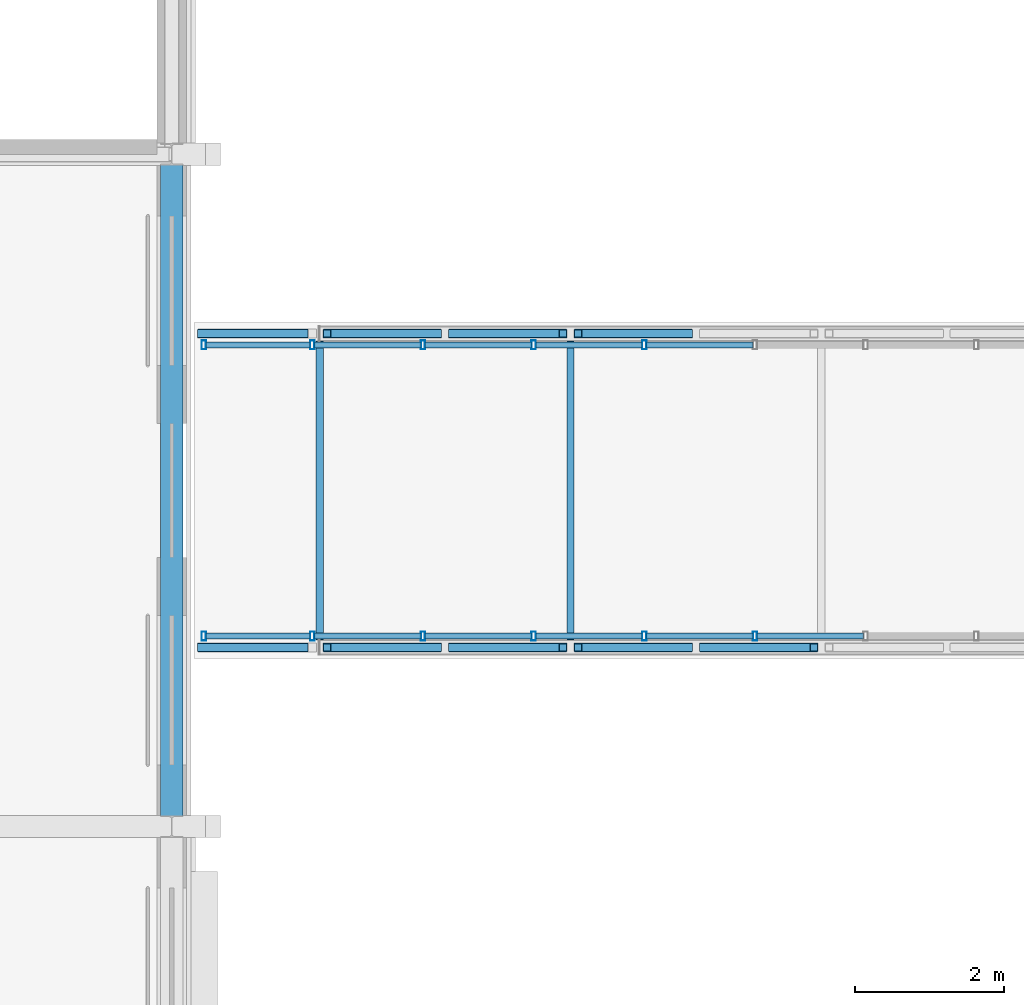
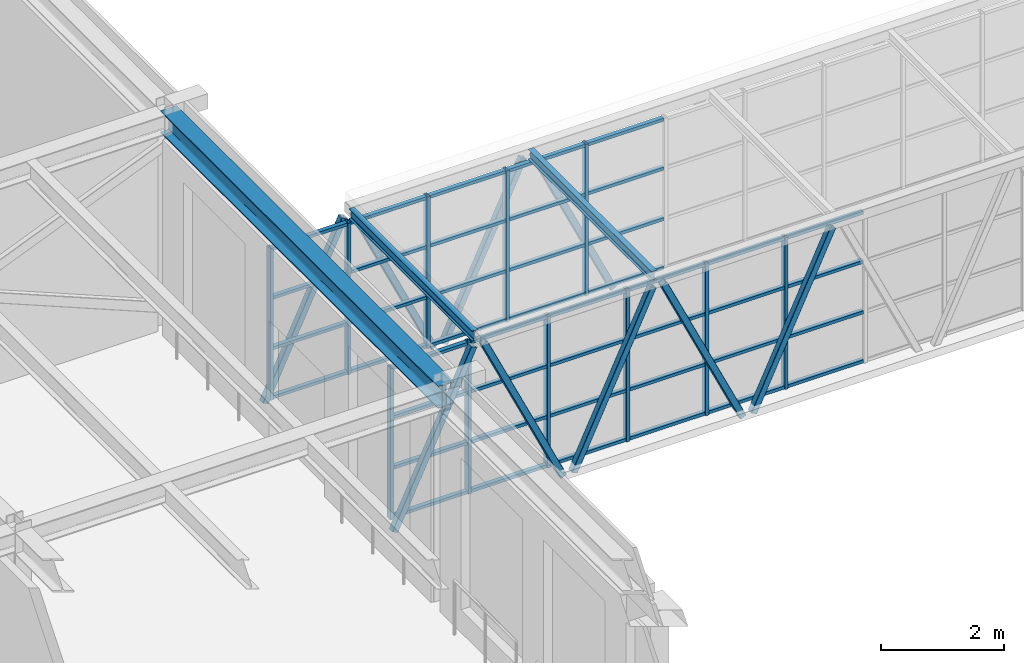
# One storey, part 31 of 149: 64 members, 3 beams, 2 elements without a shape of their own.
"""IFC4 building model written with IfcOpenShell, lengths in metres."""

from ifc_helpers import new_model, si_unit, direction, frame, origin, origin_2d, place, context, subcontext, project, spatial, hollow_rectangle, i_section, extrude, material, material_profile, profile_set, type_object, element, aggregate, save


model = new_model("IFC4")

# Units and contexts
model_context = context("Model", 3, precision=1e-05, world=origin(), true_north=direction((0.0, 1.0)))
body_context = subcontext(model_context, "Body", "Model", "MODEL_VIEW")
ifc_project = project(units=[si_unit("LENGTHUNIT", "METRE"), si_unit("AREAUNIT", "SQUARE_METRE"), si_unit("VOLUMEUNIT", "CUBIC_METRE"), si_unit("PLANEANGLEUNIT", "RADIAN"), si_unit("MASSUNIT", "GRAM", prefix="KILO")], contexts=[model_context])

# Site, building, storey
site_placement = place(None, origin())
site = spatial("IfcSite", under=ifc_project, at=site_placement, CompositionType="ELEMENT")
building_placement = place(site_placement, origin())
building = spatial("IfcBuilding", under=site, at=building_placement, Name="Kallimachos Central Library", CompositionType="ELEMENT")
storey_placement = place(building_placement, frame((0.0, 0.0, 9.89990234375)))
storey = spatial("IfcBuildingStorey", under=building, at=storey_placement, Name="L02", CompositionType="ELEMENT", Elevation=9.89990234375)

# Curtain wall, members
ifc_material_1 = material(Name="Aluminium and laminated glass", Category="aluminium")
curtain_wall_type = type_object("IfcCurtainWallType", Name="Link glazed wall", PredefinedType="NOTDEFINED", material=ifc_material_1)
curtain_wall_1_placement = place(storey_placement, origin())
curtain_wall_1 = element("IfcCurtainWall", 1, at=curtain_wall_1_placement, inside=storey, type_object=curtain_wall_type, Name="V2 to V1 bridge glazed side", PredefinedType="NOTDEFINED")
ifc_material_2 = material(Name="Anodised aluminium", Category="aluminium")
ifc_material_profile_1 = material_profile(ifc_material_2, hollow_rectangle(XDim=0.06005859375, YDim=0.1201171875, WallThickness=0.00390625, at=origin_2d()), Name="ALU MULLION 60x120")
ifc_profile_set_1 = profile_set([ifc_material_profile_1], Name="Anodised aluminium")
member_type_1 = type_object("IfcMemberType", Name="ALU MULLION 60x120 mullion", PredefinedType="MULLION", material=ifc_profile_set_1)
member_1_placement = place(storey_placement, frame((38.429931640625, 98.550048828125, 0.0), z_axis=(0.0, 0.0, 1.0), x_axis=(1.0, 0.0, 0.0)))
member_1 = element("IfcMember", 2, at=member_1_placement, type_object=member_type_1, Name="CW72 mullion 1", PredefinedType="MULLION", context=body_context, shape_type="SweptSolid", body=[
    extrude(hollow_rectangle(XDim=0.06005859375, YDim=0.1201171875, WallThickness=0.00390625, at=origin_2d()), origin(), (0.0, 0.0, 1.0), 3.0),
])
member_2_placement = place(storey_placement, frame((39.8818359375, 98.550048828125, 0.0), z_axis=(0.0, 0.0, 1.0), x_axis=(1.0, 0.0, 0.0)))
member_2 = element("IfcMember", 3, at=member_2_placement, type_object=member_type_1, Name="CW72 mullion 2", PredefinedType="MULLION", context=body_context, shape_type="SweptSolid", body=[
    extrude(hollow_rectangle(XDim=0.06005859375, YDim=0.1201171875, WallThickness=0.00390625, at=origin_2d()), origin(), (0.0, 0.0, 1.0), 3.0),
])
member_3_placement = place(storey_placement, frame((41.36376953125, 98.550048828125, 0.0), z_axis=(0.0, 0.0, 1.0), x_axis=(1.0, 0.0, 0.0)))
member_3 = element("IfcMember", 4, at=member_3_placement, type_object=member_type_1, Name="CW72 mullion 3", PredefinedType="MULLION", context=body_context, shape_type="SweptSolid", body=[
    extrude(hollow_rectangle(XDim=0.06005859375, YDim=0.1201171875, WallThickness=0.00390625, at=origin_2d()), origin(), (0.0, 0.0, 1.0), 3.0),
])
member_4_placement = place(storey_placement, frame((42.845947265625, 98.550048828125, 0.0), z_axis=(0.0, 0.0, 1.0), x_axis=(1.0, 0.0, 0.0)))
member_4 = element("IfcMember", 5, at=member_4_placement, type_object=member_type_1, Name="CW72 mullion 4", PredefinedType="MULLION", context=body_context, shape_type="SweptSolid", body=[
    extrude(hollow_rectangle(XDim=0.06005859375, YDim=0.1201171875, WallThickness=0.00390625, at=origin_2d()), origin(), (0.0, 0.0, 1.0), 3.0),
])
member_5_placement = place(storey_placement, frame((44.327880859375, 98.550048828125, 0.0), z_axis=(0.0, 0.0, 1.0), x_axis=(1.0, 0.0, 0.0)))
member_5 = element("IfcMember", 6, at=member_5_placement, type_object=member_type_1, Name="CW72 mullion 5", PredefinedType="MULLION", context=body_context, shape_type="SweptSolid", body=[
    extrude(hollow_rectangle(XDim=0.06005859375, YDim=0.1201171875, WallThickness=0.00390625, at=origin_2d()), origin(), (0.0, 0.0, 1.0), 3.0),
])
member_6_placement = place(storey_placement, frame((45.809814453125, 98.550048828125, 0.0), z_axis=(0.0, 0.0, 1.0), x_axis=(1.0, 0.0, 0.0)))
member_6 = element("IfcMember", 7, at=member_6_placement, type_object=member_type_1, Name="CW72 mullion 6", PredefinedType="MULLION", context=body_context, shape_type="SweptSolid", body=[
    extrude(hollow_rectangle(XDim=0.06005859375, YDim=0.1201171875, WallThickness=0.00390625, at=origin_2d()), origin(), (0.0, 0.0, 1.0), 3.0),
])

curtain_wall_2_placement = place(storey_placement, origin())
curtain_wall_2 = element("IfcCurtainWall", 8, at=curtain_wall_2_placement, inside=storey, type_object=curtain_wall_type, Name="V2 to V1 bridge glazed side", PredefinedType="NOTDEFINED")
member_7_placement = place(storey_placement, frame((38.429931640625, 102.449951171875, 0.0), z_axis=(0.0, 0.0, 1.0), x_axis=(1.0, 0.0, 0.0)))
member_7 = element("IfcMember", 9, at=member_7_placement, type_object=member_type_1, Name="CW73 mullion 1", PredefinedType="MULLION", context=body_context, shape_type="SweptSolid", body=[
    extrude(hollow_rectangle(XDim=0.06005859375, YDim=0.1201171875, WallThickness=0.00390625, at=origin_2d()), origin(), (0.0, 0.0, 1.0), 3.0),
])
member_8_placement = place(storey_placement, frame((39.8818359375, 102.449951171875, 0.0), z_axis=(0.0, 0.0, 1.0), x_axis=(1.0, 0.0, 0.0)))
member_8 = element("IfcMember", 10, at=member_8_placement, type_object=member_type_1, Name="CW73 mullion 2", PredefinedType="MULLION", context=body_context, shape_type="SweptSolid", body=[
    extrude(hollow_rectangle(XDim=0.06005859375, YDim=0.1201171875, WallThickness=0.00390625, at=origin_2d()), origin(), (0.0, 0.0, 1.0), 3.0),
])
member_9_placement = place(storey_placement, frame((41.36376953125, 102.449951171875, 0.0), z_axis=(0.0, 0.0, 1.0), x_axis=(1.0, 0.0, 0.0)))
member_9 = element("IfcMember", 11, at=member_9_placement, type_object=member_type_1, Name="CW73 mullion 3", PredefinedType="MULLION", context=body_context, shape_type="SweptSolid", body=[
    extrude(hollow_rectangle(XDim=0.06005859375, YDim=0.1201171875, WallThickness=0.00390625, at=origin_2d()), origin(), (0.0, 0.0, 1.0), 3.0),
])
member_10_placement = place(storey_placement, frame((42.845947265625, 102.449951171875, 0.0), z_axis=(0.0, 0.0, 1.0), x_axis=(1.0, 0.0, 0.0)))
member_10 = element("IfcMember", 12, at=member_10_placement, type_object=member_type_1, Name="CW73 mullion 4", PredefinedType="MULLION", context=body_context, shape_type="SweptSolid", body=[
    extrude(hollow_rectangle(XDim=0.06005859375, YDim=0.1201171875, WallThickness=0.00390625, at=origin_2d()), origin(), (0.0, 0.0, 1.0), 3.0),
])
member_11_placement = place(storey_placement, frame((44.327880859375, 102.449951171875, 0.0), z_axis=(0.0, 0.0, 1.0), x_axis=(1.0, 0.0, 0.0)))
member_11 = element("IfcMember", 13, at=member_11_placement, type_object=member_type_1, Name="CW73 mullion 5", PredefinedType="MULLION", context=body_context, shape_type="SweptSolid", body=[
    extrude(hollow_rectangle(XDim=0.06005859375, YDim=0.1201171875, WallThickness=0.00390625, at=origin_2d()), origin(), (0.0, 0.0, 1.0), 3.0),
])

# Member
ifc_material_3 = material(Name="Anodised aluminium", Category="aluminium")
ifc_material_profile_2 = material_profile(ifc_material_3, hollow_rectangle(XDim=0.06005859375, YDim=0.080078125, WallThickness=0.00390625, at=origin_2d()), Name="ALU TRANSOM 60x80")
ifc_profile_set_2 = profile_set([ifc_material_profile_2], Name="Anodised aluminium")
member_type_2 = type_object("IfcMemberType", Name="ALU TRANSOM 60x80 transom", PredefinedType="USERDEFINED", material=ifc_profile_set_2)
member_12_placement = place(storey_placement, frame((38.4599609375, 98.550048828125, 0.030029296875), z_axis=(1.0, 0.0, 0.0), x_axis=(0.0, 0.0, 1.0)))
member_12 = element("IfcMember", 14, at=member_12_placement, type_object=member_type_2, Name="CW72 transom 1.1", ObjectType="TRANSOM", PredefinedType="USERDEFINED", context=body_context, shape_type="SweptSolid", body=[
    extrude(hollow_rectangle(XDim=0.06005859375, YDim=0.080078125, WallThickness=0.00390625, at=origin_2d()), origin(), (0.0, 0.0, 1.0), 1.39208984375),
])

member_13_placement = place(storey_placement, frame((38.4599609375, 98.550048828125, 1.0), z_axis=(1.0, 0.0, 0.0), x_axis=(0.0, 0.0, 1.0)))
member_13 = element("IfcMember", 15, at=member_13_placement, type_object=member_type_2, Name="CW72 transom 1.2", ObjectType="TRANSOM", PredefinedType="USERDEFINED", context=body_context, shape_type="SweptSolid", body=[
    extrude(hollow_rectangle(XDim=0.06005859375, YDim=0.080078125, WallThickness=0.00390625, at=origin_2d()), origin(), (0.0, 0.0, 1.0), 1.39208984375),
])

member_14_placement = place(storey_placement, frame((38.4599609375, 98.550048828125, 2.0), z_axis=(1.0, 0.0, 0.0), x_axis=(0.0, 0.0, 1.0)))
member_14 = element("IfcMember", 16, at=member_14_placement, type_object=member_type_2, Name="CW72 transom 1.3", ObjectType="TRANSOM", PredefinedType="USERDEFINED", context=body_context, shape_type="SweptSolid", body=[
    extrude(hollow_rectangle(XDim=0.06005859375, YDim=0.080078125, WallThickness=0.00390625, at=origin_2d()), origin(), (0.0, 0.0, 1.0), 1.39208984375),
])

member_15_placement = place(storey_placement, frame((38.4599609375, 98.550048828125, 2.97021484375), z_axis=(1.0, 0.0, 0.0), x_axis=(0.0, 0.0, 1.0)))
member_15 = element("IfcMember", 17, at=member_15_placement, type_object=member_type_2, Name="CW72 transom 1.4", ObjectType="TRANSOM", PredefinedType="USERDEFINED", context=body_context, shape_type="SweptSolid", body=[
    extrude(hollow_rectangle(XDim=0.06005859375, YDim=0.080078125, WallThickness=0.00390625, at=origin_2d()), origin(), (0.0, 0.0, 1.0), 1.39208984375),
])

member_16_placement = place(storey_placement, frame((39.911865234375, 98.550048828125, 0.030029296875), z_axis=(1.0, 0.0, 0.0), x_axis=(0.0, 0.0, 1.0)))
member_16 = element("IfcMember", 18, at=member_16_placement, type_object=member_type_2, Name="CW72 transom 2.1", ObjectType="TRANSOM", PredefinedType="USERDEFINED", context=body_context, shape_type="SweptSolid", body=[
    extrude(hollow_rectangle(XDim=0.06005859375, YDim=0.080078125, WallThickness=0.00390625, at=origin_2d()), origin(), (0.0, 0.0, 1.0), 1.422119140625),
])

member_17_placement = place(storey_placement, frame((39.911865234375, 98.550048828125, 1.0), z_axis=(1.0, 0.0, 0.0), x_axis=(0.0, 0.0, 1.0)))
member_17 = element("IfcMember", 19, at=member_17_placement, type_object=member_type_2, Name="CW72 transom 2.2", ObjectType="TRANSOM", PredefinedType="USERDEFINED", context=body_context, shape_type="SweptSolid", body=[
    extrude(hollow_rectangle(XDim=0.06005859375, YDim=0.080078125, WallThickness=0.00390625, at=origin_2d()), origin(), (0.0, 0.0, 1.0), 1.422119140625),
])

member_18_placement = place(storey_placement, frame((39.911865234375, 98.550048828125, 2.0), z_axis=(1.0, 0.0, 0.0), x_axis=(0.0, 0.0, 1.0)))
member_18 = element("IfcMember", 20, at=member_18_placement, type_object=member_type_2, Name="CW72 transom 2.3", ObjectType="TRANSOM", PredefinedType="USERDEFINED", context=body_context, shape_type="SweptSolid", body=[
    extrude(hollow_rectangle(XDim=0.06005859375, YDim=0.080078125, WallThickness=0.00390625, at=origin_2d()), origin(), (0.0, 0.0, 1.0), 1.422119140625),
])

member_19_placement = place(storey_placement, frame((39.911865234375, 98.550048828125, 2.97021484375), z_axis=(1.0, 0.0, 0.0), x_axis=(0.0, 0.0, 1.0)))
member_19 = element("IfcMember", 21, at=member_19_placement, type_object=member_type_2, Name="CW72 transom 2.4", ObjectType="TRANSOM", PredefinedType="USERDEFINED", context=body_context, shape_type="SweptSolid", body=[
    extrude(hollow_rectangle(XDim=0.06005859375, YDim=0.080078125, WallThickness=0.00390625, at=origin_2d()), origin(), (0.0, 0.0, 1.0), 1.422119140625),
])

member_20_placement = place(storey_placement, frame((41.393798828125, 98.550048828125, 0.030029296875), z_axis=(1.0, 0.0, 0.0), x_axis=(0.0, 0.0, 1.0)))
member_20 = element("IfcMember", 22, at=member_20_placement, type_object=member_type_2, Name="CW72 transom 3.1", ObjectType="TRANSOM", PredefinedType="USERDEFINED", context=body_context, shape_type="SweptSolid", body=[
    extrude(hollow_rectangle(XDim=0.06005859375, YDim=0.080078125, WallThickness=0.00390625, at=origin_2d()), origin(), (0.0, 0.0, 1.0), 1.422119140625),
])

member_21_placement = place(storey_placement, frame((41.393798828125, 98.550048828125, 1.0), z_axis=(1.0, 0.0, 0.0), x_axis=(0.0, 0.0, 1.0)))
member_21 = element("IfcMember", 23, at=member_21_placement, type_object=member_type_2, Name="CW72 transom 3.2", ObjectType="TRANSOM", PredefinedType="USERDEFINED", context=body_context, shape_type="SweptSolid", body=[
    extrude(hollow_rectangle(XDim=0.06005859375, YDim=0.080078125, WallThickness=0.00390625, at=origin_2d()), origin(), (0.0, 0.0, 1.0), 1.422119140625),
])

member_22_placement = place(storey_placement, frame((41.393798828125, 98.550048828125, 2.0), z_axis=(1.0, 0.0, 0.0), x_axis=(0.0, 0.0, 1.0)))
member_22 = element("IfcMember", 24, at=member_22_placement, type_object=member_type_2, Name="CW72 transom 3.3", ObjectType="TRANSOM", PredefinedType="USERDEFINED", context=body_context, shape_type="SweptSolid", body=[
    extrude(hollow_rectangle(XDim=0.06005859375, YDim=0.080078125, WallThickness=0.00390625, at=origin_2d()), origin(), (0.0, 0.0, 1.0), 1.422119140625),
])

member_23_placement = place(storey_placement, frame((41.393798828125, 98.550048828125, 2.97021484375), z_axis=(1.0, 0.0, 0.0), x_axis=(0.0, 0.0, 1.0)))
member_23 = element("IfcMember", 25, at=member_23_placement, type_object=member_type_2, Name="CW72 transom 3.4", ObjectType="TRANSOM", PredefinedType="USERDEFINED", context=body_context, shape_type="SweptSolid", body=[
    extrude(hollow_rectangle(XDim=0.06005859375, YDim=0.080078125, WallThickness=0.00390625, at=origin_2d()), origin(), (0.0, 0.0, 1.0), 1.422119140625),
])

member_24_placement = place(storey_placement, frame((42.875732421875, 98.550048828125, 0.030029296875), z_axis=(1.0, 0.0, 0.0), x_axis=(0.0, 0.0, 1.0)))
member_24 = element("IfcMember", 26, at=member_24_placement, type_object=member_type_2, Name="CW72 transom 4.1", ObjectType="TRANSOM", PredefinedType="USERDEFINED", context=body_context, shape_type="SweptSolid", body=[
    extrude(hollow_rectangle(XDim=0.06005859375, YDim=0.080078125, WallThickness=0.00390625, at=origin_2d()), origin(), (0.0, 0.0, 1.0), 1.422119140625),
])

member_25_placement = place(storey_placement, frame((42.875732421875, 98.550048828125, 1.0), z_axis=(1.0, 0.0, 0.0), x_axis=(0.0, 0.0, 1.0)))
member_25 = element("IfcMember", 27, at=member_25_placement, type_object=member_type_2, Name="CW72 transom 4.2", ObjectType="TRANSOM", PredefinedType="USERDEFINED", context=body_context, shape_type="SweptSolid", body=[
    extrude(hollow_rectangle(XDim=0.06005859375, YDim=0.080078125, WallThickness=0.00390625, at=origin_2d()), origin(), (0.0, 0.0, 1.0), 1.422119140625),
])

member_26_placement = place(storey_placement, frame((42.875732421875, 98.550048828125, 2.0), z_axis=(1.0, 0.0, 0.0), x_axis=(0.0, 0.0, 1.0)))
member_26 = element("IfcMember", 28, at=member_26_placement, type_object=member_type_2, Name="CW72 transom 4.3", ObjectType="TRANSOM", PredefinedType="USERDEFINED", context=body_context, shape_type="SweptSolid", body=[
    extrude(hollow_rectangle(XDim=0.06005859375, YDim=0.080078125, WallThickness=0.00390625, at=origin_2d()), origin(), (0.0, 0.0, 1.0), 1.422119140625),
])

member_27_placement = place(storey_placement, frame((42.875732421875, 98.550048828125, 2.97021484375), z_axis=(1.0, 0.0, 0.0), x_axis=(0.0, 0.0, 1.0)))
member_27 = element("IfcMember", 29, at=member_27_placement, type_object=member_type_2, Name="CW72 transom 4.4", ObjectType="TRANSOM", PredefinedType="USERDEFINED", context=body_context, shape_type="SweptSolid", body=[
    extrude(hollow_rectangle(XDim=0.06005859375, YDim=0.080078125, WallThickness=0.00390625, at=origin_2d()), origin(), (0.0, 0.0, 1.0), 1.422119140625),
])

member_28_placement = place(storey_placement, frame((44.357666015625, 98.550048828125, 0.030029296875), z_axis=(1.0, 0.0, 0.0), x_axis=(0.0, 0.0, 1.0)))
member_28 = element("IfcMember", 30, at=member_28_placement, type_object=member_type_2, Name="CW72 transom 5.1", ObjectType="TRANSOM", PredefinedType="USERDEFINED", context=body_context, shape_type="SweptSolid", body=[
    extrude(hollow_rectangle(XDim=0.06005859375, YDim=0.080078125, WallThickness=0.00390625, at=origin_2d()), origin(), (0.0, 0.0, 1.0), 1.422119140625),
])

member_29_placement = place(storey_placement, frame((44.357666015625, 98.550048828125, 1.0), z_axis=(1.0, 0.0, 0.0), x_axis=(0.0, 0.0, 1.0)))
member_29 = element("IfcMember", 31, at=member_29_placement, type_object=member_type_2, Name="CW72 transom 5.2", ObjectType="TRANSOM", PredefinedType="USERDEFINED", context=body_context, shape_type="SweptSolid", body=[
    extrude(hollow_rectangle(XDim=0.06005859375, YDim=0.080078125, WallThickness=0.00390625, at=origin_2d()), origin(), (0.0, 0.0, 1.0), 1.422119140625),
])

member_30_placement = place(storey_placement, frame((44.357666015625, 98.550048828125, 2.0), z_axis=(1.0, 0.0, 0.0), x_axis=(0.0, 0.0, 1.0)))
member_30 = element("IfcMember", 32, at=member_30_placement, type_object=member_type_2, Name="CW72 transom 5.3", ObjectType="TRANSOM", PredefinedType="USERDEFINED", context=body_context, shape_type="SweptSolid", body=[
    extrude(hollow_rectangle(XDim=0.06005859375, YDim=0.080078125, WallThickness=0.00390625, at=origin_2d()), origin(), (0.0, 0.0, 1.0), 1.422119140625),
])

member_31_placement = place(storey_placement, frame((44.357666015625, 98.550048828125, 2.97021484375), z_axis=(1.0, 0.0, 0.0), x_axis=(0.0, 0.0, 1.0)))
member_31 = element("IfcMember", 33, at=member_31_placement, type_object=member_type_2, Name="CW72 transom 5.4", ObjectType="TRANSOM", PredefinedType="USERDEFINED", context=body_context, shape_type="SweptSolid", body=[
    extrude(hollow_rectangle(XDim=0.06005859375, YDim=0.080078125, WallThickness=0.00390625, at=origin_2d()), origin(), (0.0, 0.0, 1.0), 1.422119140625),
])

member_32_placement = place(storey_placement, frame((45.83984375, 98.550048828125, 0.030029296875), z_axis=(1.0, 0.0, 0.0), x_axis=(0.0, 0.0, 1.0)))
member_32 = element("IfcMember", 34, at=member_32_placement, type_object=member_type_2, Name="CW72 transom 6.1", ObjectType="TRANSOM", PredefinedType="USERDEFINED", context=body_context, shape_type="SweptSolid", body=[
    extrude(hollow_rectangle(XDim=0.06005859375, YDim=0.080078125, WallThickness=0.00390625, at=origin_2d()), origin(), (0.0, 0.0, 1.0), 1.421875),
])

member_33_placement = place(storey_placement, frame((45.83984375, 98.550048828125, 1.0), z_axis=(1.0, 0.0, 0.0), x_axis=(0.0, 0.0, 1.0)))
member_33 = element("IfcMember", 35, at=member_33_placement, type_object=member_type_2, Name="CW72 transom 6.2", ObjectType="TRANSOM", PredefinedType="USERDEFINED", context=body_context, shape_type="SweptSolid", body=[
    extrude(hollow_rectangle(XDim=0.06005859375, YDim=0.080078125, WallThickness=0.00390625, at=origin_2d()), origin(), (0.0, 0.0, 1.0), 1.421875),
])

member_34_placement = place(storey_placement, frame((45.83984375, 98.550048828125, 2.0), z_axis=(1.0, 0.0, 0.0), x_axis=(0.0, 0.0, 1.0)))
member_34 = element("IfcMember", 36, at=member_34_placement, type_object=member_type_2, Name="CW72 transom 6.3", ObjectType="TRANSOM", PredefinedType="USERDEFINED", context=body_context, shape_type="SweptSolid", body=[
    extrude(hollow_rectangle(XDim=0.06005859375, YDim=0.080078125, WallThickness=0.00390625, at=origin_2d()), origin(), (0.0, 0.0, 1.0), 1.421875),
])

member_35_placement = place(storey_placement, frame((45.83984375, 98.550048828125, 2.97021484375), z_axis=(1.0, 0.0, 0.0), x_axis=(0.0, 0.0, 1.0)))
member_35 = element("IfcMember", 37, at=member_35_placement, type_object=member_type_2, Name="CW72 transom 6.4", ObjectType="TRANSOM", PredefinedType="USERDEFINED", context=body_context, shape_type="SweptSolid", body=[
    extrude(hollow_rectangle(XDim=0.06005859375, YDim=0.080078125, WallThickness=0.00390625, at=origin_2d()), origin(), (0.0, 0.0, 1.0), 1.421875),
])

aggregate(curtain_wall_1, [member_1, member_2, member_3, member_4, member_5, member_6, member_12, member_13, member_14, member_15, member_16, member_17, member_18, member_19, member_20, member_21, member_22, member_23, member_24, member_25, member_26, member_27, member_28, member_29, member_30, member_31, member_32, member_33, member_34, member_35])

member_36_placement = place(storey_placement, frame((38.4599609375, 102.449951171875, 0.030029296875), z_axis=(1.0, 0.0, 0.0), x_axis=(0.0, 0.0, 1.0)))
member_36 = element("IfcMember", 38, at=member_36_placement, type_object=member_type_2, Name="CW73 transom 1.1", ObjectType="TRANSOM", PredefinedType="USERDEFINED", context=body_context, shape_type="SweptSolid", body=[
    extrude(hollow_rectangle(XDim=0.06005859375, YDim=0.080078125, WallThickness=0.00390625, at=origin_2d()), origin(), (0.0, 0.0, 1.0), 1.39208984375),
])

member_37_placement = place(storey_placement, frame((38.4599609375, 102.449951171875, 1.0), z_axis=(1.0, 0.0, 0.0), x_axis=(0.0, 0.0, 1.0)))
member_37 = element("IfcMember", 39, at=member_37_placement, type_object=member_type_2, Name="CW73 transom 1.2", ObjectType="TRANSOM", PredefinedType="USERDEFINED", context=body_context, shape_type="SweptSolid", body=[
    extrude(hollow_rectangle(XDim=0.06005859375, YDim=0.080078125, WallThickness=0.00390625, at=origin_2d()), origin(), (0.0, 0.0, 1.0), 1.39208984375),
])

member_38_placement = place(storey_placement, frame((38.4599609375, 102.449951171875, 2.0), z_axis=(1.0, 0.0, 0.0), x_axis=(0.0, 0.0, 1.0)))
member_38 = element("IfcMember", 40, at=member_38_placement, type_object=member_type_2, Name="CW73 transom 1.3", ObjectType="TRANSOM", PredefinedType="USERDEFINED", context=body_context, shape_type="SweptSolid", body=[
    extrude(hollow_rectangle(XDim=0.06005859375, YDim=0.080078125, WallThickness=0.00390625, at=origin_2d()), origin(), (0.0, 0.0, 1.0), 1.39208984375),
])

member_39_placement = place(storey_placement, frame((38.4599609375, 102.449951171875, 2.97021484375), z_axis=(1.0, 0.0, 0.0), x_axis=(0.0, 0.0, 1.0)))
member_39 = element("IfcMember", 41, at=member_39_placement, type_object=member_type_2, Name="CW73 transom 1.4", ObjectType="TRANSOM", PredefinedType="USERDEFINED", context=body_context, shape_type="SweptSolid", body=[
    extrude(hollow_rectangle(XDim=0.06005859375, YDim=0.080078125, WallThickness=0.00390625, at=origin_2d()), origin(), (0.0, 0.0, 1.0), 1.39208984375),
])

member_40_placement = place(storey_placement, frame((39.911865234375, 102.449951171875, 0.030029296875), z_axis=(1.0, 0.0, 0.0), x_axis=(0.0, 0.0, 1.0)))
member_40 = element("IfcMember", 42, at=member_40_placement, type_object=member_type_2, Name="CW73 transom 2.1", ObjectType="TRANSOM", PredefinedType="USERDEFINED", context=body_context, shape_type="SweptSolid", body=[
    extrude(hollow_rectangle(XDim=0.06005859375, YDim=0.080078125, WallThickness=0.00390625, at=origin_2d()), origin(), (0.0, 0.0, 1.0), 1.422119140625),
])

member_41_placement = place(storey_placement, frame((39.911865234375, 102.449951171875, 1.0), z_axis=(1.0, 0.0, 0.0), x_axis=(0.0, 0.0, 1.0)))
member_41 = element("IfcMember", 43, at=member_41_placement, type_object=member_type_2, Name="CW73 transom 2.2", ObjectType="TRANSOM", PredefinedType="USERDEFINED", context=body_context, shape_type="SweptSolid", body=[
    extrude(hollow_rectangle(XDim=0.06005859375, YDim=0.080078125, WallThickness=0.00390625, at=origin_2d()), origin(), (0.0, 0.0, 1.0), 1.422119140625),
])

member_42_placement = place(storey_placement, frame((39.911865234375, 102.449951171875, 2.0), z_axis=(1.0, 0.0, 0.0), x_axis=(0.0, 0.0, 1.0)))
member_42 = element("IfcMember", 44, at=member_42_placement, type_object=member_type_2, Name="CW73 transom 2.3", ObjectType="TRANSOM", PredefinedType="USERDEFINED", context=body_context, shape_type="SweptSolid", body=[
    extrude(hollow_rectangle(XDim=0.06005859375, YDim=0.080078125, WallThickness=0.00390625, at=origin_2d()), origin(), (0.0, 0.0, 1.0), 1.422119140625),
])

member_43_placement = place(storey_placement, frame((39.911865234375, 102.449951171875, 2.97021484375), z_axis=(1.0, 0.0, 0.0), x_axis=(0.0, 0.0, 1.0)))
member_43 = element("IfcMember", 45, at=member_43_placement, type_object=member_type_2, Name="CW73 transom 2.4", ObjectType="TRANSOM", PredefinedType="USERDEFINED", context=body_context, shape_type="SweptSolid", body=[
    extrude(hollow_rectangle(XDim=0.06005859375, YDim=0.080078125, WallThickness=0.00390625, at=origin_2d()), origin(), (0.0, 0.0, 1.0), 1.422119140625),
])

member_44_placement = place(storey_placement, frame((41.393798828125, 102.449951171875, 0.030029296875), z_axis=(1.0, 0.0, 0.0), x_axis=(0.0, 0.0, 1.0)))
member_44 = element("IfcMember", 46, at=member_44_placement, type_object=member_type_2, Name="CW73 transom 3.1", ObjectType="TRANSOM", PredefinedType="USERDEFINED", context=body_context, shape_type="SweptSolid", body=[
    extrude(hollow_rectangle(XDim=0.06005859375, YDim=0.080078125, WallThickness=0.00390625, at=origin_2d()), origin(), (0.0, 0.0, 1.0), 1.422119140625),
])

member_45_placement = place(storey_placement, frame((41.393798828125, 102.449951171875, 1.0), z_axis=(1.0, 0.0, 0.0), x_axis=(0.0, 0.0, 1.0)))
member_45 = element("IfcMember", 47, at=member_45_placement, type_object=member_type_2, Name="CW73 transom 3.2", ObjectType="TRANSOM", PredefinedType="USERDEFINED", context=body_context, shape_type="SweptSolid", body=[
    extrude(hollow_rectangle(XDim=0.06005859375, YDim=0.080078125, WallThickness=0.00390625, at=origin_2d()), origin(), (0.0, 0.0, 1.0), 1.422119140625),
])

member_46_placement = place(storey_placement, frame((41.393798828125, 102.449951171875, 2.0), z_axis=(1.0, 0.0, 0.0), x_axis=(0.0, 0.0, 1.0)))
member_46 = element("IfcMember", 48, at=member_46_placement, type_object=member_type_2, Name="CW73 transom 3.3", ObjectType="TRANSOM", PredefinedType="USERDEFINED", context=body_context, shape_type="SweptSolid", body=[
    extrude(hollow_rectangle(XDim=0.06005859375, YDim=0.080078125, WallThickness=0.00390625, at=origin_2d()), origin(), (0.0, 0.0, 1.0), 1.422119140625),
])

member_47_placement = place(storey_placement, frame((41.393798828125, 102.449951171875, 2.97021484375), z_axis=(1.0, 0.0, 0.0), x_axis=(0.0, 0.0, 1.0)))
member_47 = element("IfcMember", 49, at=member_47_placement, type_object=member_type_2, Name="CW73 transom 3.4", ObjectType="TRANSOM", PredefinedType="USERDEFINED", context=body_context, shape_type="SweptSolid", body=[
    extrude(hollow_rectangle(XDim=0.06005859375, YDim=0.080078125, WallThickness=0.00390625, at=origin_2d()), origin(), (0.0, 0.0, 1.0), 1.422119140625),
])

member_48_placement = place(storey_placement, frame((42.875732421875, 102.449951171875, 0.030029296875), z_axis=(1.0, 0.0, 0.0), x_axis=(0.0, 0.0, 1.0)))
member_48 = element("IfcMember", 50, at=member_48_placement, type_object=member_type_2, Name="CW73 transom 4.1", ObjectType="TRANSOM", PredefinedType="USERDEFINED", context=body_context, shape_type="SweptSolid", body=[
    extrude(hollow_rectangle(XDim=0.06005859375, YDim=0.080078125, WallThickness=0.00390625, at=origin_2d()), origin(), (0.0, 0.0, 1.0), 1.422119140625),
])

member_49_placement = place(storey_placement, frame((42.875732421875, 102.449951171875, 1.0), z_axis=(1.0, 0.0, 0.0), x_axis=(0.0, 0.0, 1.0)))
member_49 = element("IfcMember", 51, at=member_49_placement, type_object=member_type_2, Name="CW73 transom 4.2", ObjectType="TRANSOM", PredefinedType="USERDEFINED", context=body_context, shape_type="SweptSolid", body=[
    extrude(hollow_rectangle(XDim=0.06005859375, YDim=0.080078125, WallThickness=0.00390625, at=origin_2d()), origin(), (0.0, 0.0, 1.0), 1.422119140625),
])

member_50_placement = place(storey_placement, frame((42.875732421875, 102.449951171875, 2.0), z_axis=(1.0, 0.0, 0.0), x_axis=(0.0, 0.0, 1.0)))
member_50 = element("IfcMember", 52, at=member_50_placement, type_object=member_type_2, Name="CW73 transom 4.3", ObjectType="TRANSOM", PredefinedType="USERDEFINED", context=body_context, shape_type="SweptSolid", body=[
    extrude(hollow_rectangle(XDim=0.06005859375, YDim=0.080078125, WallThickness=0.00390625, at=origin_2d()), origin(), (0.0, 0.0, 1.0), 1.422119140625),
])

member_51_placement = place(storey_placement, frame((42.875732421875, 102.449951171875, 2.97021484375), z_axis=(1.0, 0.0, 0.0), x_axis=(0.0, 0.0, 1.0)))
member_51 = element("IfcMember", 53, at=member_51_placement, type_object=member_type_2, Name="CW73 transom 4.4", ObjectType="TRANSOM", PredefinedType="USERDEFINED", context=body_context, shape_type="SweptSolid", body=[
    extrude(hollow_rectangle(XDim=0.06005859375, YDim=0.080078125, WallThickness=0.00390625, at=origin_2d()), origin(), (0.0, 0.0, 1.0), 1.422119140625),
])

member_52_placement = place(storey_placement, frame((44.357666015625, 102.449951171875, 0.030029296875), z_axis=(1.0, 0.0, 0.0), x_axis=(0.0, 0.0, 1.0)))
member_52 = element("IfcMember", 54, at=member_52_placement, type_object=member_type_2, Name="CW73 transom 5.1", ObjectType="TRANSOM", PredefinedType="USERDEFINED", context=body_context, shape_type="SweptSolid", body=[
    extrude(hollow_rectangle(XDim=0.06005859375, YDim=0.080078125, WallThickness=0.00390625, at=origin_2d()), origin(), (0.0, 0.0, 1.0), 1.422119140625),
])

member_53_placement = place(storey_placement, frame((44.357666015625, 102.449951171875, 1.0), z_axis=(1.0, 0.0, 0.0), x_axis=(0.0, 0.0, 1.0)))
member_53 = element("IfcMember", 55, at=member_53_placement, type_object=member_type_2, Name="CW73 transom 5.2", ObjectType="TRANSOM", PredefinedType="USERDEFINED", context=body_context, shape_type="SweptSolid", body=[
    extrude(hollow_rectangle(XDim=0.06005859375, YDim=0.080078125, WallThickness=0.00390625, at=origin_2d()), origin(), (0.0, 0.0, 1.0), 1.422119140625),
])

member_54_placement = place(storey_placement, frame((44.357666015625, 102.449951171875, 2.0), z_axis=(1.0, 0.0, 0.0), x_axis=(0.0, 0.0, 1.0)))
member_54 = element("IfcMember", 56, at=member_54_placement, type_object=member_type_2, Name="CW73 transom 5.3", ObjectType="TRANSOM", PredefinedType="USERDEFINED", context=body_context, shape_type="SweptSolid", body=[
    extrude(hollow_rectangle(XDim=0.06005859375, YDim=0.080078125, WallThickness=0.00390625, at=origin_2d()), origin(), (0.0, 0.0, 1.0), 1.422119140625),
])

member_55_placement = place(storey_placement, frame((44.357666015625, 102.449951171875, 2.97021484375), z_axis=(1.0, 0.0, 0.0), x_axis=(0.0, 0.0, 1.0)))
member_55 = element("IfcMember", 57, at=member_55_placement, type_object=member_type_2, Name="CW73 transom 5.4", ObjectType="TRANSOM", PredefinedType="USERDEFINED", context=body_context, shape_type="SweptSolid", body=[
    extrude(hollow_rectangle(XDim=0.06005859375, YDim=0.080078125, WallThickness=0.00390625, at=origin_2d()), origin(), (0.0, 0.0, 1.0), 1.422119140625),
])

aggregate(curtain_wall_2, [member_7, member_8, member_9, member_10, member_11, member_36, member_37, member_38, member_39, member_40, member_41, member_42, member_43, member_44, member_45, member_46, member_47, member_48, member_49, member_50, member_51, member_52, member_53, member_54, member_55])

# Beams
ifc_material_4 = material(Name="Steel S355J2", Category="steel")
ifc_material_profile_3 = material_profile(ifc_material_4, i_section(OverallWidth=0.300048828125, OverallDepth=0.43994140625, WebThickness=0.011474609375, FlangeThickness=0.02099609375, FilletRadius=0.027099609375, at=origin_2d()), Name="HEA 450")
ifc_profile_set_3 = profile_set([ifc_material_profile_3], Name="Steel S355J2")
beam_type_1 = type_object("IfcBeamType", Name="HEA 450 beam", PredefinedType="BEAM", material=ifc_profile_set_3)
beam_placement = place(storey_placement, frame((38.0, 96.0, 4.130126953125), z_axis=(0.0, 1.0, 0.0), x_axis=(-1.0, 0.0, 0.0)))
element("IfcBeam", 58, at=beam_placement, inside=storey, type_object=beam_type_1, Name="V2-BEM-L02-014", PredefinedType="BEAM", context=body_context, shape_type="SweptSolid", body=[
    extrude(i_section(OverallWidth=0.300048828125, OverallDepth=0.43994140625, WebThickness=0.011474609375, FlangeThickness=0.02099609375, FilletRadius=0.027099609375, at=origin_2d()), origin(), (0.0, 0.0, 1.0), 9.0),
])
ifc_material_5 = material(Name="Steel S355J2", Category="steel")
ifc_material_profile_4 = material_profile(ifc_material_5, i_section(OverallWidth=0.10009765625, OverallDepth=0.199951171875, WebThickness=0.005615234375, FlangeThickness=0.008544921875, FilletRadius=0.011962890625, at=origin_2d()), Name="IPE 200")
ifc_profile_set_4 = profile_set([ifc_material_profile_4], Name="Steel S355J2")
beam_type_2 = type_object("IfcBeamType", Name="IPE 200 beam", PredefinedType="BEAM", material=ifc_profile_set_4)
for number, where, z_axis, x_axis, name in (
    (59, (39.979736328125, 98.5, 3.10009765625), (0.0, 1.0, 0.0), (-1.0, 0.0, 0.0), "B-W roof cross beam"),
    (60, (43.339111328125, 98.5, 3.10009765625), (0.0, 1.0, 0.0), (-1.0, 0.0, 0.0), "B-W roof cross beam"),
):
    element("IfcBeam", number, at=place(storey_placement, frame(where, z_axis=z_axis, x_axis=x_axis)), inside=storey, type_object=beam_type_2, Name=name, PredefinedType="BEAM", context=body_context, shape_type="SweptSolid", body=[
        extrude(i_section(OverallWidth=0.10009765625, OverallDepth=0.199951171875, WebThickness=0.005615234375, FlangeThickness=0.008544921875, FilletRadius=0.011962890625, at=origin_2d()), origin(), (0.0, 0.0, 1.0), 4.0),
    ])

# Members
ifc_material_6 = material(Name="Steel S355J2H", Category="steel")
ifc_material_profile_5 = material_profile(ifc_material_6, hollow_rectangle(XDim=0.1201171875, YDim=0.1201171875, WallThickness=0.008056640625, InnerFilletRadius=0.008056640625, OuterFilletRadius=0.011962890625, at=origin_2d()), Name="SHS 120x120x8")
ifc_profile_set_5 = profile_set([ifc_material_profile_5], Name="Steel S355J2H")
member_type_3 = type_object("IfcMemberType", Name="SHS 120x120x8 web", PredefinedType="BRACE", material=ifc_profile_set_5)
for number, where, z_axis, x_axis, name in (
    (61, (38.39990234375, 98.39990234375, -0.14990234375), (0.425192201844, 0.0, 0.905103083351), (0.0, 1.0, 0.0), "links-MEM-L02-002"),
    (62, (40.07958984375, 98.39990234375, 3.0), (0.425192201844, 0.0, -0.905103083351), (0.0, 1.0, 0.0), "links-MEM-L02-003"),
    (63, (41.75927734375, 98.39990234375, -0.14990234375), (0.425192201844, 0.0, 0.905103083351), (0.0, 1.0, 0.0), "links-MEM-L02-004"),
    (64, (43.43896484375, 98.39990234375, 3.0), (0.425192201844, 0.0, -0.905103083351), (0.0, 1.0, 0.0), "links-MEM-L02-005"),
    (65, (45.11865234375, 98.39990234375, -0.14990234375), (0.425192201844, 0.0, 0.905103083351), (0.0, 1.0, 0.0), "links-MEM-L02-006"),
    (66, (38.39990234375, 102.60009765625, -0.14990234375), (0.425192201844, 0.0, 0.905103083351), (0.0, 1.0, 0.0), "links-MEM-L02-019"),
    (67, (40.07958984375, 102.60009765625, 3.0), (0.425192201844, 0.0, -0.905103083351), (0.0, 1.0, 0.0), "links-MEM-L02-020"),
    (68, (41.75927734375, 102.60009765625, -0.14990234375), (0.425192201844, 0.0, 0.905103083351), (0.0, 1.0, 0.0), "links-MEM-L02-021"),
    (69, (43.43896484375, 102.60009765625, 3.0), (0.425192201844, 0.0, -0.905103083351), (0.0, 1.0, 0.0), "links-MEM-L02-022"),
):
    element("IfcMember", number, at=place(storey_placement, frame(where, z_axis=z_axis, x_axis=x_axis)), inside=storey, type_object=member_type_3, Name=name, PredefinedType="BRACE", context=body_context, shape_type="SweptSolid", body=[
        extrude(hollow_rectangle(XDim=0.1201171875, YDim=0.1201171875, WallThickness=0.008056640625, InnerFilletRadius=0.008056640625, OuterFilletRadius=0.011962890625, at=origin_2d()), origin(), (0.0, 0.0, 1.0), 3.480224609375),
    ])

save(model, "model.ifc")
